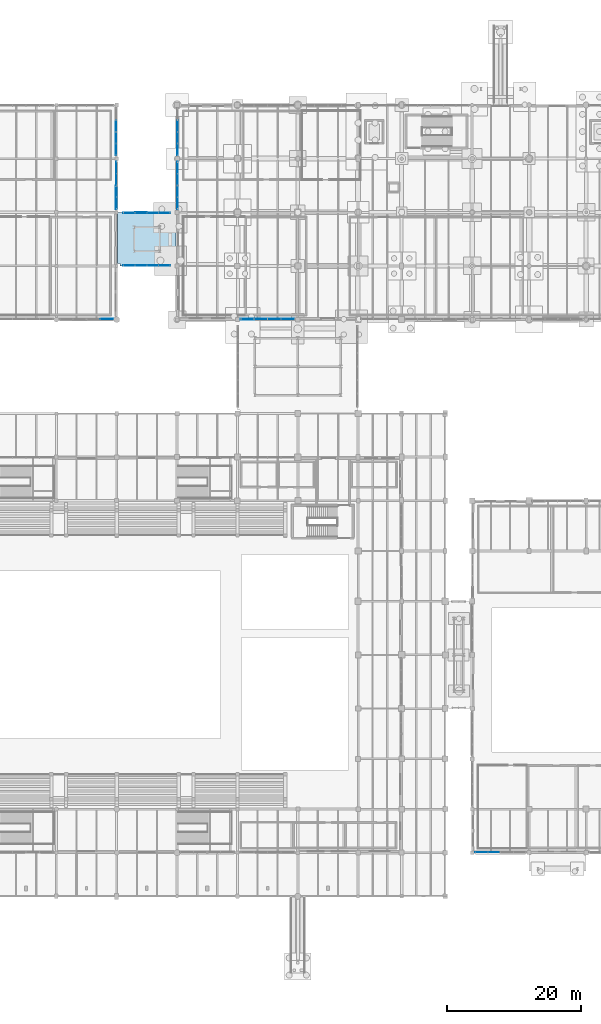
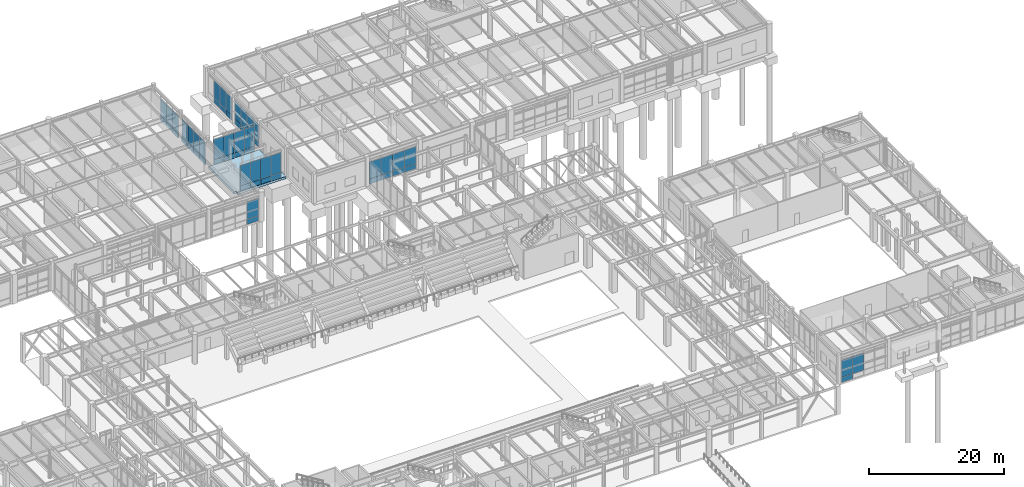
# One storey, part 157 of 203: 57 plates, 1 slab, 9 elements without a shape of their own.
"""IFC4 building model written with IfcOpenShell, lengths in metres."""

from ifc_helpers import new_model, si_unit, direction, frame, origin, origin_2d, place, context, subcontext, project, spatial, polyline, rectangle, outline, extrude, material, layer, layer_set, type_object, element, aggregate, save


model = new_model("IFC4")

# Units and contexts
model_context = context("Model", 3, precision=1e-05, world=origin(), true_north=direction((0.0, 1.0)))
body_context = subcontext(model_context, "Body", "Model", "MODEL_VIEW")
ifc_project = project(units=[si_unit("LENGTHUNIT", "METRE"), si_unit("AREAUNIT", "SQUARE_METRE"), si_unit("VOLUMEUNIT", "CUBIC_METRE"), si_unit("PLANEANGLEUNIT", "RADIAN"), si_unit("MASSUNIT", "GRAM", prefix="KILO"), si_unit("THERMODYNAMICTEMPERATUREUNIT", "KELVIN"), si_unit("POWERUNIT", "WATT")], contexts=[model_context])

# Site, building, storey
site_placement = place(None, origin())
site = spatial("IfcSite", under=ifc_project, at=site_placement, CompositionType="ELEMENT")
building_placement = place(site_placement, origin())
building = spatial("IfcBuilding", under=site, at=building_placement, Name="Tepalcoro Natatorium and Aquatics Centre", CompositionType="ELEMENT")
storey_placement = place(building_placement, origin())
storey = spatial("IfcBuildingStorey", under=building, at=storey_placement, Name="L00", CompositionType="ELEMENT", Elevation=0.0)

# Curtain wall, plate
ifc_material_1 = material(Name="Bronze-Anodised Extruded Aluminium Alloy EN AW-6063 T6", Category="aluminium")
curtain_wall_type_1 = type_object("IfcCurtainWallType", Name="CW_V2_DIVING", PredefinedType="USERDEFINED", material=ifc_material_1)
curtain_wall_1_placement = place(storey_placement, origin())
curtain_wall_1 = element("IfcCurtainWall", 1, at=curtain_wall_1_placement, inside=storey, type_object=curtain_wall_type_1, Name="V2 L00 S Unitised Curtain Wall Bay 1", ObjectType="FACETED SOLAR GLAZING", PredefinedType="USERDEFINED")
ifc_material_2 = material(Name="Solar-Control Bronze Tempered Low-E Double Glazing", Category="glass")
ifc_layer_1 = layer(ifc_material_2, 0.048095703125)
ifc_layer_set_1 = layer_set([ifc_layer_1], Name="Solar-Control Bronze Tempered Low-E Double Glazing")
plate_type_1 = type_object("IfcPlateType", Name="PL_ACOUSTIC_IGU_48", PredefinedType="CURTAIN_PANEL", material=ifc_layer_set_1)
plate_1_placement = place(storey_placement, frame((145.3076171875, 6.576171875, 0.9599609375), z_axis=(0.0, 0.0, 1.0), x_axis=(1.0, 0.0, 0.0)))
plate_1 = element("IfcPlate", 2, at=plate_1_placement, type_object=plate_type_1, Name="CW_V2_DIVING Insulated Glazing Unit", PredefinedType="CURTAIN_PANEL", context=body_context, shape_type="SweptSolid", body=[
    extrude(rectangle(XDim=1.864990234375, YDim=0.048095703125, at=origin_2d()), origin(), (0.0, 0.0, 1.0), 3.1298828125),
])

curtain_wall_type_2 = type_object("IfcCurtainWallType", Name="CW_LEAN_T2_EW", PredefinedType="USERDEFINED", material=ifc_material_1)
curtain_wall_2_placement = place(storey_placement, origin())
curtain_wall_2 = element("IfcCurtainWall", 3, at=curtain_wall_2_placement, inside=storey, type_object=curtain_wall_type_2, Name="V4 L00 E Unitised Curtain Wall Bay 3", ObjectType="FACETED SOLAR GLAZING", PredefinedType="USERDEFINED")
plate_2_placement = place(storey_placement, frame((88.9287109375, 105.1201171875, 0.9599609375), z_axis=(0.0, 0.0, 1.0), x_axis=(1.0, 0.0, 0.0)))
plate_2 = element("IfcPlate", 4, at=plate_2_placement, type_object=plate_type_1, Name="CW_LEAN_T2_EW Insulated Glazing Unit", PredefinedType="CURTAIN_PANEL", context=body_context, shape_type="SweptSolid", body=[
    extrude(rectangle(XDim=0.048095703125, YDim=1.739990234375, at=origin_2d()), origin(), (0.0, 0.0, 1.0), 3.14990234375),
])

curtain_wall_type_3 = type_object("IfcCurtainWallType", Name="CW_V1_PLINTH", PredefinedType="USERDEFINED", material=ifc_material_1)
curtain_wall_3_placement = place(storey_placement, origin())
curtain_wall_3 = element("IfcCurtainWall", 5, at=curtain_wall_3_placement, inside=storey, type_object=curtain_wall_type_3, Name="V4 L00 E Unitised Curtain Wall Bay 4", ObjectType="UNITISED STOREFRONT", PredefinedType="USERDEFINED")
plate_3_placement = place(storey_placement, frame((88.909912109375, 111.360107421875, 0.9599609375), z_axis=(0.0, 0.0, 1.0), x_axis=(1.0, 0.0, 0.0)))
plate_3 = element("IfcPlate", 6, at=plate_3_placement, type_object=plate_type_1, Name="CW_V1_PLINTH Insulated Glazing Unit", PredefinedType="CURTAIN_PANEL", context=body_context, shape_type="SweptSolid", body=[
    extrude(rectangle(XDim=0.048095703125, YDim=1.739990234375, at=origin_2d()), origin(), (0.0, 0.0, 1.0), 3.073974609375),
])

# Curtain wall, plates
curtain_wall_type_4 = type_object("IfcCurtainWallType", Name="CW_V3_FOYER", PredefinedType="USERDEFINED", material=ifc_material_1)
curtain_wall_4_placement = place(storey_placement, origin())
curtain_wall_4 = element("IfcCurtainWall", 7, at=curtain_wall_4_placement, inside=storey, type_object=curtain_wall_type_4, Name="V5 L00 S Unitised Curtain Wall Bay 2", ObjectType="UNITISED STOREFRONT", PredefinedType="USERDEFINED")
plate_4_placement = place(storey_placement, frame((108.485107421875, 86.0712890625, 0.9599609375), z_axis=(0.0, 0.0, 1.0), x_axis=(1.0, 0.0, 0.0)))
plate_4 = element("IfcPlate", 8, at=plate_4_placement, type_object=plate_type_1, Name="CW_V3_FOYER Insulated Glazing Unit", PredefinedType="CURTAIN_PANEL", context=body_context, shape_type="SweptSolid", body=[
    extrude(rectangle(XDim=1.989990234375, YDim=0.048095703125, at=origin_2d()), origin(), (0.0, 0.0, 1.0), 3.053955078125),
])
plate_5_placement = place(storey_placement, frame((114.514892578125, 86.0712890625, 0.9599609375), z_axis=(0.0, 0.0, 1.0), x_axis=(1.0, 0.0, 0.0)))
plate_5 = element("IfcPlate", 9, at=plate_5_placement, type_object=plate_type_1, Name="CW_V3_FOYER Insulated Glazing Unit", PredefinedType="CURTAIN_PANEL", context=body_context, shape_type="SweptSolid", body=[
    extrude(rectangle(XDim=1.989990234375, YDim=0.048095703125, at=origin_2d()), origin(), (0.0, 0.0, 1.0), 3.053955078125),
])

# Curtain wall, plate
curtain_wall_type_5 = type_object("IfcCurtainWallType", Name="CW_LEAN_T1_EW", PredefinedType="USERDEFINED", material=ifc_material_1)
curtain_wall_5_placement = place(storey_placement, origin())
curtain_wall_5 = element("IfcCurtainWall", 10, at=curtain_wall_5_placement, inside=storey, type_object=curtain_wall_type_5, Name="V5 L00 W Unitised Curtain Wall Bay 3", ObjectType="FACETED SOLAR GLAZING", PredefinedType="USERDEFINED")
plate_6_placement = place(storey_placement, frame((98.0712890625, 106.8798828125, 0.9599609375), z_axis=(0.0, 0.0, 1.0), x_axis=(1.0, 0.0, 0.0)))
plate_6 = element("IfcPlate", 11, at=plate_6_placement, type_object=plate_type_1, Name="CW_LEAN_T1_EW Insulated Glazing Unit", PredefinedType="CURTAIN_PANEL", context=body_context, shape_type="SweptSolid", body=[
    extrude(rectangle(XDim=0.048095703125, YDim=1.739990234375, at=origin_2d()), origin(), (0.0, 0.0, 1.0), 3.177001953125),
])

curtain_wall_type_6 = type_object("IfcCurtainWallType", Name="CW_LEAN_T2_NS", PredefinedType="USERDEFINED", material=ifc_material_1)
curtain_wall_6_placement = place(storey_placement, origin())
curtain_wall_6 = element("IfcCurtainWall", 12, at=curtain_wall_6_placement, inside=storey, type_object=curtain_wall_type_6, Name="V5 L00 W Unitised Curtain Wall Bay 4", ObjectType="FACETED SOLAR GLAZING", PredefinedType="USERDEFINED")
plate_7_placement = place(storey_placement, frame((98.076171875, 113.1201171875, 0.9599609375), z_axis=(0.0, 0.0, 1.0), x_axis=(1.0, 0.0, 0.0)))
plate_7 = element("IfcPlate", 13, at=plate_7_placement, type_object=plate_type_1, Name="CW_LEAN_T2_NS Insulated Glazing Unit", PredefinedType="CURTAIN_PANEL", context=body_context, shape_type="SweptSolid", body=[
    extrude(rectangle(XDim=0.048095703125, YDim=1.739990234375, at=origin_2d()), origin(), (0.0, 0.0, 1.0), 3.1298828125),
])

# Curtain wall, plates
curtain_wall_type_7 = type_object("IfcCurtainWallType", Name="CW_LINK_150", PredefinedType="USERDEFINED", material=ifc_material_1)
curtain_wall_7_placement = place(storey_placement, origin())
curtain_wall_7 = element("IfcCurtainWall", 14, at=curtain_wall_7_placement, inside=storey, type_object=curtain_wall_type_7, Name="North Spine Seismic Link Glazed Wall S L00", ObjectType="UNITISED STOREFRONT", PredefinedType="USERDEFINED")
plate_8_placement = place(storey_placement, frame((90.875, 94.080078125, 0.9599609375), z_axis=(0.0, 0.0, 1.0), x_axis=(1.0, 0.0, 0.0)))
plate_8 = element("IfcPlate", 15, at=plate_8_placement, type_object=plate_type_1, Name="CW_LINK_150 Insulated Glazing Unit", PredefinedType="CURTAIN_PANEL", context=body_context, shape_type="SweptSolid", body=[
    extrude(rectangle(XDim=1.72998046875, YDim=0.048095703125, at=origin_2d()), origin(), (0.0, 0.0, 1.0), 3.639892578125),
])
plate_9_placement = place(storey_placement, frame((96.125, 94.080078125, 0.9599609375), z_axis=(0.0, 0.0, 1.0), x_axis=(1.0, 0.0, 0.0)))
plate_9 = element("IfcPlate", 16, at=plate_9_placement, type_object=plate_type_1, Name="CW_LINK_150 Insulated Glazing Unit", PredefinedType="CURTAIN_PANEL", context=body_context, shape_type="SweptSolid", body=[
    extrude(rectangle(XDim=1.72998046875, YDim=0.048095703125, at=origin_2d()), origin(), (0.0, 0.0, 1.0), 3.639892578125),
])

# Curtain wall, plate
curtain_wall_8_placement = place(storey_placement, origin())
curtain_wall_8 = element("IfcCurtainWall", 17, at=curtain_wall_8_placement, inside=storey, type_object=curtain_wall_type_7, Name="North Spine Seismic Link Glazed Wall N L00", ObjectType="UNITISED STOREFRONT", PredefinedType="USERDEFINED")
plate_10_placement = place(storey_placement, frame((94.375, 101.919921875, 0.9599609375), z_axis=(0.0, 0.0, 1.0), x_axis=(1.0, 0.0, 0.0)))
plate_10 = element("IfcPlate", 18, at=plate_10_placement, type_object=plate_type_1, Name="CW_LINK_150 Insulated Glazing Unit", PredefinedType="CURTAIN_PANEL", context=body_context, shape_type="SweptSolid", body=[
    extrude(rectangle(XDim=1.72998046875, YDim=0.048095703125, at=origin_2d()), origin(), (0.0, 0.0, 1.0), 3.639892578125),
])

# Plate
ifc_layer_2 = layer(ifc_material_2, 0.028076171875)
ifc_layer_set_2 = layer_set([ifc_layer_2], Name="Solar-Control Bronze Tempered Low-E Double Glazing")
plate_type_2 = type_object("IfcPlateType", Name="PL_BRONZE_IGU_28", PredefinedType="CURTAIN_PANEL", material=ifc_layer_set_2)
plate_11_placement = place(storey_placement, frame((143.422607421875, 6.576171875, 0.9599609375), z_axis=(0.0, 0.0, 1.0), x_axis=(1.0, 0.0, 0.0)))
plate_11 = element("IfcPlate", 19, at=plate_11_placement, type_object=plate_type_2, Name="CW_V2_DIVING Insulated Glazing Unit", PredefinedType="CURTAIN_PANEL", context=body_context, shape_type="SweptSolid", body=[
    extrude(rectangle(XDim=1.864990234375, YDim=0.028076171875, at=origin_2d()), origin(), (0.0, 0.0, 1.0), 3.1298828125),
])

plate_12_placement = place(storey_placement, frame((88.9287109375, 103.360107421875, 0.9599609375), z_axis=(0.0, 0.0, 1.0), x_axis=(1.0, 0.0, 0.0)))
plate_12 = element("IfcPlate", 20, at=plate_12_placement, type_object=plate_type_2, Name="CW_LEAN_T2_EW Insulated Glazing Unit", PredefinedType="CURTAIN_PANEL", context=body_context, shape_type="SweptSolid", body=[
    extrude(rectangle(XDim=0.028076171875, YDim=1.739990234375, at=origin_2d()), origin(), (0.0, 0.0, 1.0), 3.14990234375),
])

plate_13_placement = place(storey_placement, frame((88.9287109375, 108.639892578125, 0.9599609375), z_axis=(0.0, 0.0, 1.0), x_axis=(1.0, 0.0, 0.0)))
plate_13 = element("IfcPlate", 21, at=plate_13_placement, type_object=plate_type_2, Name="CW_LEAN_T2_EW Insulated Glazing Unit", PredefinedType="CURTAIN_PANEL", context=body_context, shape_type="SweptSolid", body=[
    extrude(rectangle(XDim=0.028076171875, YDim=1.739990234375, at=origin_2d()), origin(), (0.0, 0.0, 1.0), 3.14990234375),
])

plate_14_placement = place(storey_placement, frame((88.909912109375, 114.8798828125, 0.9599609375), z_axis=(0.0, 0.0, 1.0), x_axis=(1.0, 0.0, 0.0)))
plate_14 = element("IfcPlate", 22, at=plate_14_placement, type_object=plate_type_2, Name="CW_V1_PLINTH Insulated Glazing Unit", PredefinedType="CURTAIN_PANEL", context=body_context, shape_type="SweptSolid", body=[
    extrude(rectangle(XDim=0.028076171875, YDim=1.739990234375, at=origin_2d()), origin(), (0.0, 0.0, 1.0), 3.073974609375),
])

plate_15_placement = place(storey_placement, frame((112.5048828125, 86.0712890625, 0.9599609375), z_axis=(0.0, 0.0, 1.0), x_axis=(1.0, 0.0, 0.0)))
plate_15 = element("IfcPlate", 23, at=plate_15_placement, type_object=plate_type_2, Name="CW_V3_FOYER Insulated Glazing Unit", PredefinedType="CURTAIN_PANEL", context=body_context, shape_type="SweptSolid", body=[
    extrude(rectangle(XDim=1.989990234375, YDim=0.028076171875, at=origin_2d()), origin(), (0.0, 0.0, 1.0), 3.053955078125),
])

plate_16_placement = place(storey_placement, frame((98.0712890625, 105.1201171875, 0.9599609375), z_axis=(0.0, 0.0, 1.0), x_axis=(1.0, 0.0, 0.0)))
plate_16 = element("IfcPlate", 24, at=plate_16_placement, type_object=plate_type_2, Name="CW_LEAN_T1_EW Insulated Glazing Unit", PredefinedType="CURTAIN_PANEL", context=body_context, shape_type="SweptSolid", body=[
    extrude(rectangle(XDim=0.028076171875, YDim=1.739990234375, at=origin_2d()), origin(), (0.0, 0.0, 1.0), 3.177001953125),
])

plate_17_placement = place(storey_placement, frame((98.076171875, 111.360107421875, 0.9599609375), z_axis=(0.0, 0.0, 1.0), x_axis=(1.0, 0.0, 0.0)))
plate_17 = element("IfcPlate", 25, at=plate_17_placement, type_object=plate_type_2, Name="CW_LEAN_T2_NS Insulated Glazing Unit", PredefinedType="CURTAIN_PANEL", context=body_context, shape_type="SweptSolid", body=[
    extrude(rectangle(XDim=0.028076171875, YDim=1.739990234375, at=origin_2d()), origin(), (0.0, 0.0, 1.0), 3.1298828125),
])

plate_18_placement = place(storey_placement, frame((94.375, 94.080078125, 0.9599609375), z_axis=(0.0, 0.0, 1.0), x_axis=(1.0, 0.0, 0.0)))
plate_18 = element("IfcPlate", 26, at=plate_18_placement, type_object=plate_type_2, Name="CW_LINK_150 Insulated Glazing Unit", PredefinedType="CURTAIN_PANEL", context=body_context, shape_type="SweptSolid", body=[
    extrude(rectangle(XDim=1.72998046875, YDim=0.028076171875, at=origin_2d()), origin(), (0.0, 0.0, 1.0), 3.639892578125),
])

plate_19_placement = place(storey_placement, frame((92.625, 101.919921875, 0.9599609375), z_axis=(0.0, 0.0, 1.0), x_axis=(1.0, 0.0, 0.0)))
plate_19 = element("IfcPlate", 27, at=plate_19_placement, type_object=plate_type_2, Name="CW_LINK_150 Insulated Glazing Unit", PredefinedType="CURTAIN_PANEL", context=body_context, shape_type="SweptSolid", body=[
    extrude(rectangle(XDim=1.72998046875, YDim=0.028076171875, at=origin_2d()), origin(), (0.0, 0.0, 1.0), 3.639892578125),
])

ifc_material_3 = material(Name="Jalisco Cantera Rosa Volcanic Tuff Ashlar Masonry", Category="masonry")
ifc_layer_3 = layer(ifc_material_3, 0.090087890625)
ifc_layer_set_3 = layer_set([ifc_layer_3], Name="Jalisco Cantera Rosa Volcanic Tuff Ashlar Masonry")
plate_type_3 = type_object("IfcPlateType", Name="PL_CANTERA_90", PredefinedType="SHEET", material=ifc_layer_set_3)
plate_20_placement = place(storey_placement, frame((88.9287109375, 103.360107421875, 0.044921875), z_axis=(0.0, 0.0, 1.0), x_axis=(1.0, 0.0, 0.0)))
plate_20 = element("IfcPlate", 28, at=plate_20_placement, type_object=plate_type_3, Name="CW_LEAN_T2_EW Spandrel & Screen Panel", PredefinedType="SHEET", context=body_context, shape_type="SweptSolid", body=[
    extrude(rectangle(XDim=0.090087890625, YDim=1.739990234375, at=origin_2d()), origin(), (0.0, 0.0, 1.0), 0.909912109375),
])

plate_21_placement = place(storey_placement, frame((92.625, 94.080078125, 0.044921875), z_axis=(0.0, 0.0, 1.0), x_axis=(1.0, 0.0, 0.0)))
plate_21 = element("IfcPlate", 29, at=plate_21_placement, type_object=plate_type_3, Name="CW_LINK_150 Spandrel & Screen Panel", PredefinedType="SHEET", context=body_context, shape_type="SweptSolid", body=[
    extrude(rectangle(XDim=1.72998046875, YDim=0.090087890625, at=origin_2d()), origin(), (0.0, 0.0, 1.0), 0.909912109375),
])

plate_22_placement = place(storey_placement, frame((90.875, 101.919921875, 0.044921875), z_axis=(0.0, 0.0, 1.0), x_axis=(1.0, 0.0, 0.0)))
plate_22 = element("IfcPlate", 30, at=plate_22_placement, type_object=plate_type_3, Name="CW_LINK_150 Spandrel & Screen Panel", PredefinedType="SHEET", context=body_context, shape_type="SweptSolid", body=[
    extrude(rectangle(XDim=1.72998046875, YDim=0.090087890625, at=origin_2d()), origin(), (0.0, 0.0, 1.0), 0.909912109375),
])

# Curtain wall, plate
curtain_wall_9_placement = place(storey_placement, origin())
curtain_wall_9 = element("IfcCurtainWall", 31, at=curtain_wall_9_placement, inside=storey, type_object=curtain_wall_type_2, Name="V4 L00 S Unitised Curtain Wall Bay 9", ObjectType="FACETED SOLAR GLAZING", PredefinedType="USERDEFINED")
ifc_material_4 = material(Name="Clear Tempered Low-E Safety Glazing", Category="glass")
ifc_layer_4 = layer(ifc_material_4, 0.011962890625)
ifc_layer_set_4 = layer_set([ifc_layer_4], Name="Clear Tempered Low-E Safety Glazing")
plate_type_4 = type_object("IfcPlateType", Name="PL_GLASS_12", PredefinedType="CURTAIN_PANEL", material=ifc_layer_set_4)
plate_23_placement = place(storey_placement, frame((87.514892578125, 86.0712890625, 0.9599609375), z_axis=(0.0, 0.0, 1.0), x_axis=(1.0, 0.0, 0.0)))
plate_23 = element("IfcPlate", 32, at=plate_23_placement, type_object=plate_type_4, Name="CW_LEAN_T2_EW Insulated Glazing Unit", PredefinedType="CURTAIN_PANEL", context=body_context, shape_type="SweptSolid", body=[
    extrude(rectangle(XDim=1.989990234375, YDim=0.011962890625, at=origin_2d()), origin(), (0.0, 0.0, 1.0), 3.14990234375),
])

# Plate
plate_24_placement = place(storey_placement, frame((88.9287109375, 106.8798828125, 0.9599609375), z_axis=(0.0, 0.0, 1.0), x_axis=(1.0, 0.0, 0.0)))
plate_24 = element("IfcPlate", 33, at=plate_24_placement, type_object=plate_type_4, Name="CW_LEAN_T2_EW Insulated Glazing Unit", PredefinedType="CURTAIN_PANEL", context=body_context, shape_type="SweptSolid", body=[
    extrude(rectangle(XDim=0.011962890625, YDim=1.739990234375, at=origin_2d()), origin(), (0.0, 0.0, 1.0), 3.14990234375),
])

plate_25_placement = place(storey_placement, frame((88.909912109375, 113.1201171875, 0.9599609375), z_axis=(0.0, 0.0, 1.0), x_axis=(1.0, 0.0, 0.0)))
plate_25 = element("IfcPlate", 34, at=plate_25_placement, type_object=plate_type_4, Name="CW_V1_PLINTH Insulated Glazing Unit", PredefinedType="CURTAIN_PANEL", context=body_context, shape_type="SweptSolid", body=[
    extrude(rectangle(XDim=0.011962890625, YDim=1.739990234375, at=origin_2d()), origin(), (0.0, 0.0, 1.0), 3.073974609375),
])

plate_26_placement = place(storey_placement, frame((110.4951171875, 86.0712890625, 0.9599609375), z_axis=(0.0, 0.0, 1.0), x_axis=(1.0, 0.0, 0.0)))
plate_26 = element("IfcPlate", 35, at=plate_26_placement, type_object=plate_type_4, Name="CW_V3_FOYER Insulated Glazing Unit", PredefinedType="CURTAIN_PANEL", context=body_context, shape_type="SweptSolid", body=[
    extrude(rectangle(XDim=1.989990234375, YDim=0.011962890625, at=origin_2d()), origin(), (0.0, 0.0, 1.0), 3.053955078125),
])

plate_27_placement = place(storey_placement, frame((98.0712890625, 103.360107421875, 0.9599609375), z_axis=(0.0, 0.0, 1.0), x_axis=(1.0, 0.0, 0.0)))
plate_27 = element("IfcPlate", 36, at=plate_27_placement, type_object=plate_type_4, Name="CW_LEAN_T1_EW Insulated Glazing Unit", PredefinedType="CURTAIN_PANEL", context=body_context, shape_type="SweptSolid", body=[
    extrude(rectangle(XDim=0.011962890625, YDim=1.739990234375, at=origin_2d()), origin(), (0.0, 0.0, 1.0), 3.177001953125),
])

plate_28_placement = place(storey_placement, frame((98.0712890625, 108.639892578125, 0.9599609375), z_axis=(0.0, 0.0, 1.0), x_axis=(1.0, 0.0, 0.0)))
plate_28 = element("IfcPlate", 37, at=plate_28_placement, type_object=plate_type_4, Name="CW_LEAN_T1_EW Insulated Glazing Unit", PredefinedType="CURTAIN_PANEL", context=body_context, shape_type="SweptSolid", body=[
    extrude(rectangle(XDim=0.011962890625, YDim=1.739990234375, at=origin_2d()), origin(), (0.0, 0.0, 1.0), 3.177001953125),
])

plate_29_placement = place(storey_placement, frame((98.076171875, 114.8798828125, 0.9599609375), z_axis=(0.0, 0.0, 1.0), x_axis=(1.0, 0.0, 0.0)))
plate_29 = element("IfcPlate", 38, at=plate_29_placement, type_object=plate_type_4, Name="CW_LEAN_T2_NS Insulated Glazing Unit", PredefinedType="CURTAIN_PANEL", context=body_context, shape_type="SweptSolid", body=[
    extrude(rectangle(XDim=0.011962890625, YDim=1.739990234375, at=origin_2d()), origin(), (0.0, 0.0, 1.0), 3.1298828125),
])

plate_30_placement = place(storey_placement, frame((92.625, 94.080078125, 0.9599609375), z_axis=(0.0, 0.0, 1.0), x_axis=(1.0, 0.0, 0.0)))
plate_30 = element("IfcPlate", 39, at=plate_30_placement, type_object=plate_type_4, Name="CW_LINK_150 Insulated Glazing Unit", PredefinedType="CURTAIN_PANEL", context=body_context, shape_type="SweptSolid", body=[
    extrude(rectangle(XDim=1.72998046875, YDim=0.011962890625, at=origin_2d()), origin(), (0.0, 0.0, 1.0), 3.639892578125),
])

plate_31_placement = place(storey_placement, frame((90.875, 101.919921875, 0.9599609375), z_axis=(0.0, 0.0, 1.0), x_axis=(1.0, 0.0, 0.0)))
plate_31 = element("IfcPlate", 40, at=plate_31_placement, type_object=plate_type_4, Name="CW_LINK_150 Insulated Glazing Unit", PredefinedType="CURTAIN_PANEL", context=body_context, shape_type="SweptSolid", body=[
    extrude(rectangle(XDim=1.72998046875, YDim=0.011962890625, at=origin_2d()), origin(), (0.0, 0.0, 1.0), 3.639892578125),
])

plate_32_placement = place(storey_placement, frame((96.125, 101.919921875, 0.9599609375), z_axis=(0.0, 0.0, 1.0), x_axis=(1.0, 0.0, 0.0)))
plate_32 = element("IfcPlate", 41, at=plate_32_placement, type_object=plate_type_4, Name="CW_LINK_150 Insulated Glazing Unit", PredefinedType="CURTAIN_PANEL", context=body_context, shape_type="SweptSolid", body=[
    extrude(rectangle(XDim=1.72998046875, YDim=0.011962890625, at=origin_2d()), origin(), (0.0, 0.0, 1.0), 3.639892578125),
])

ifc_material_5 = material(Name="Volcanic Recinto Basalt Ashlar Masonry", Category="masonry")
ifc_layer_5 = layer(ifc_material_5, 0.110107421875)
ifc_layer_set_5 = layer_set([ifc_layer_5], Name="Volcanic Recinto Basalt Ashlar Masonry")
plate_type_5 = type_object("IfcPlateType", Name="PL_RECINTO_110", PredefinedType="SHEET", material=ifc_layer_set_5)
plate_33_placement = place(storey_placement, frame((88.9287109375, 105.1201171875, 0.044921875), z_axis=(0.0, 0.0, 1.0), x_axis=(1.0, 0.0, 0.0)))
plate_33 = element("IfcPlate", 42, at=plate_33_placement, type_object=plate_type_5, Name="CW_LEAN_T2_EW Spandrel & Screen Panel", PredefinedType="SHEET", context=body_context, shape_type="SweptSolid", body=[
    extrude(rectangle(XDim=0.110107421875, YDim=1.739990234375, at=origin_2d()), origin(), (0.0, 0.0, 1.0), 0.909912109375),
])

plate_34_placement = place(storey_placement, frame((88.909912109375, 111.360107421875, 0.044921875), z_axis=(0.0, 0.0, 1.0), x_axis=(1.0, 0.0, 0.0)))
plate_34 = element("IfcPlate", 43, at=plate_34_placement, type_object=plate_type_5, Name="CW_V1_PLINTH Spandrel & Screen Panel", PredefinedType="SHEET", context=body_context, shape_type="SweptSolid", body=[
    extrude(rectangle(XDim=0.110107421875, YDim=1.739990234375, at=origin_2d()), origin(), (0.0, 0.0, 1.0), 0.909912109375),
])

plate_35_placement = place(storey_placement, frame((108.485107421875, 86.0712890625, 0.044921875), z_axis=(0.0, 0.0, 1.0), x_axis=(1.0, 0.0, 0.0)))
plate_35 = element("IfcPlate", 44, at=plate_35_placement, type_object=plate_type_5, Name="CW_V3_FOYER Spandrel & Screen Panel", PredefinedType="SHEET", context=body_context, shape_type="SweptSolid", body=[
    extrude(rectangle(XDim=1.989990234375, YDim=0.110107421875, at=origin_2d()), origin(), (0.0, 0.0, 1.0), 0.909912109375),
])

plate_36_placement = place(storey_placement, frame((98.0712890625, 103.360107421875, 0.044921875), z_axis=(0.0, 0.0, 1.0), x_axis=(1.0, 0.0, 0.0)))
plate_36 = element("IfcPlate", 45, at=plate_36_placement, type_object=plate_type_5, Name="CW_LEAN_T1_EW Spandrel & Screen Panel", PredefinedType="SHEET", context=body_context, shape_type="SweptSolid", body=[
    extrude(rectangle(XDim=0.110107421875, YDim=1.739990234375, at=origin_2d()), origin(), (0.0, 0.0, 1.0), 0.909912109375),
])

plate_37_placement = place(storey_placement, frame((94.375, 94.080078125, 0.044921875), z_axis=(0.0, 0.0, 1.0), x_axis=(1.0, 0.0, 0.0)))
plate_37 = element("IfcPlate", 46, at=plate_37_placement, type_object=plate_type_5, Name="CW_LINK_150 Spandrel & Screen Panel", PredefinedType="SHEET", context=body_context, shape_type="SweptSolid", body=[
    extrude(rectangle(XDim=1.72998046875, YDim=0.110107421875, at=origin_2d()), origin(), (0.0, 0.0, 1.0), 0.909912109375),
])

plate_38_placement = place(storey_placement, frame((92.625, 101.919921875, 0.044921875), z_axis=(0.0, 0.0, 1.0), x_axis=(1.0, 0.0, 0.0)))
plate_38 = element("IfcPlate", 47, at=plate_38_placement, type_object=plate_type_5, Name="CW_LINK_150 Spandrel & Screen Panel", PredefinedType="SHEET", context=body_context, shape_type="SweptSolid", body=[
    extrude(rectangle(XDim=1.72998046875, YDim=0.110107421875, at=origin_2d()), origin(), (0.0, 0.0, 1.0), 0.909912109375),
])

ifc_layer_6 = layer(ifc_material_1, 0.050048828125)
ifc_layer_set_6 = layer_set([ifc_layer_6], Name="Bronze-Anodised Extruded Aluminium Alloy EN AW-6063 T6")
plate_type_6 = type_object("IfcPlateType", Name="PL_SCREEN_50", PredefinedType="SHEET", material=ifc_layer_set_6)
plate_39_placement = place(storey_placement, frame((143.422607421875, 6.576171875, 0.044921875), z_axis=(0.0, 0.0, 1.0), x_axis=(1.0, 0.0, 0.0)))
plate_39 = element("IfcPlate", 48, at=plate_39_placement, type_object=plate_type_6, Name="CW_V2_DIVING Spandrel & Screen Panel", PredefinedType="SHEET", context=body_context, shape_type="SweptSolid", body=[
    extrude(rectangle(XDim=1.864990234375, YDim=0.050048828125, at=origin_2d()), origin(), (0.0, 0.0, 1.0), 0.909912109375),
])

aggregate(curtain_wall_1, [plate_11, plate_39, plate_1])

plate_40_placement = place(storey_placement, frame((87.514892578125, 86.0712890625, 0.044921875), z_axis=(0.0, 0.0, 1.0), x_axis=(1.0, 0.0, 0.0)))
plate_40 = element("IfcPlate", 49, at=plate_40_placement, type_object=plate_type_6, Name="CW_LEAN_T2_EW Spandrel & Screen Panel", PredefinedType="SHEET", context=body_context, shape_type="SweptSolid", body=[
    extrude(rectangle(XDim=1.989990234375, YDim=0.050048828125, at=origin_2d()), origin(), (0.0, 0.0, 1.0), 0.909912109375),
])

aggregate(curtain_wall_9, [plate_23, plate_40])

plate_41_placement = place(storey_placement, frame((88.9287109375, 108.639892578125, 0.044921875), z_axis=(0.0, 0.0, 1.0), x_axis=(1.0, 0.0, 0.0)))
plate_41 = element("IfcPlate", 50, at=plate_41_placement, type_object=plate_type_6, Name="CW_LEAN_T2_EW Spandrel & Screen Panel", PredefinedType="SHEET", context=body_context, shape_type="SweptSolid", body=[
    extrude(rectangle(XDim=0.050048828125, YDim=1.739990234375, at=origin_2d()), origin(), (0.0, 0.0, 1.0), 0.909912109375),
])

plate_42_placement = place(storey_placement, frame((88.909912109375, 114.8798828125, 0.044921875), z_axis=(0.0, 0.0, 1.0), x_axis=(1.0, 0.0, 0.0)))
plate_42 = element("IfcPlate", 51, at=plate_42_placement, type_object=plate_type_6, Name="CW_V1_PLINTH Spandrel & Screen Panel", PredefinedType="SHEET", context=body_context, shape_type="SweptSolid", body=[
    extrude(rectangle(XDim=0.050048828125, YDim=1.739990234375, at=origin_2d()), origin(), (0.0, 0.0, 1.0), 0.909912109375),
])

plate_43_placement = place(storey_placement, frame((112.5048828125, 86.0712890625, 0.044921875), z_axis=(0.0, 0.0, 1.0), x_axis=(1.0, 0.0, 0.0)))
plate_43 = element("IfcPlate", 52, at=plate_43_placement, type_object=plate_type_6, Name="CW_V3_FOYER Spandrel & Screen Panel", PredefinedType="SHEET", context=body_context, shape_type="SweptSolid", body=[
    extrude(rectangle(XDim=1.989990234375, YDim=0.050048828125, at=origin_2d()), origin(), (0.0, 0.0, 1.0), 0.909912109375),
])

plate_44_placement = place(storey_placement, frame((98.0712890625, 106.8798828125, 0.044921875), z_axis=(0.0, 0.0, 1.0), x_axis=(1.0, 0.0, 0.0)))
plate_44 = element("IfcPlate", 53, at=plate_44_placement, type_object=plate_type_6, Name="CW_LEAN_T1_EW Spandrel & Screen Panel", PredefinedType="SHEET", context=body_context, shape_type="SweptSolid", body=[
    extrude(rectangle(XDim=0.050048828125, YDim=1.739990234375, at=origin_2d()), origin(), (0.0, 0.0, 1.0), 0.909912109375),
])

plate_45_placement = place(storey_placement, frame((98.076171875, 113.1201171875, 0.044921875), z_axis=(0.0, 0.0, 1.0), x_axis=(1.0, 0.0, 0.0)))
plate_45 = element("IfcPlate", 54, at=plate_45_placement, type_object=plate_type_6, Name="CW_LEAN_T2_NS Spandrel & Screen Panel", PredefinedType="SHEET", context=body_context, shape_type="SweptSolid", body=[
    extrude(rectangle(XDim=0.050048828125, YDim=1.739990234375, at=origin_2d()), origin(), (0.0, 0.0, 1.0), 0.909912109375),
])

plate_46_placement = place(storey_placement, frame((96.125, 101.919921875, 0.044921875), z_axis=(0.0, 0.0, 1.0), x_axis=(1.0, 0.0, 0.0)))
plate_46 = element("IfcPlate", 55, at=plate_46_placement, type_object=plate_type_6, Name="CW_LINK_150 Spandrel & Screen Panel", PredefinedType="SHEET", context=body_context, shape_type="SweptSolid", body=[
    extrude(rectangle(XDim=1.72998046875, YDim=0.050048828125, at=origin_2d()), origin(), (0.0, 0.0, 1.0), 0.909912109375),
])

ifc_layer_7 = layer(ifc_material_1, 0.06005859375)
ifc_layer_set_7 = layer_set([ifc_layer_7], Name="Bronze-Anodised Extruded Aluminium Alloy EN AW-6063 T6")
plate_type_7 = type_object("IfcPlateType", Name="PL_SCREEN_60", PredefinedType="SHEET", material=ifc_layer_set_7)
plate_47_placement = place(storey_placement, frame((114.514892578125, 86.0712890625, 0.044921875), z_axis=(0.0, 0.0, 1.0), x_axis=(1.0, 0.0, 0.0)))
plate_47 = element("IfcPlate", 56, at=plate_47_placement, type_object=plate_type_7, Name="CW_V3_FOYER Spandrel & Screen Panel", PredefinedType="SHEET", context=body_context, shape_type="SweptSolid", body=[
    extrude(rectangle(XDim=1.989990234375, YDim=0.06005859375, at=origin_2d()), origin(), (0.0, 0.0, 1.0), 0.909912109375),
])

plate_48_placement = place(storey_placement, frame((98.0712890625, 108.639892578125, 0.044921875), z_axis=(0.0, 0.0, 1.0), x_axis=(1.0, 0.0, 0.0)))
plate_48 = element("IfcPlate", 57, at=plate_48_placement, type_object=plate_type_7, Name="CW_LEAN_T1_EW Spandrel & Screen Panel", PredefinedType="SHEET", context=body_context, shape_type="SweptSolid", body=[
    extrude(rectangle(XDim=0.06005859375, YDim=1.739990234375, at=origin_2d()), origin(), (0.0, 0.0, 1.0), 0.909912109375),
])

plate_49_placement = place(storey_placement, frame((98.076171875, 114.8798828125, 0.044921875), z_axis=(0.0, 0.0, 1.0), x_axis=(1.0, 0.0, 0.0)))
plate_49 = element("IfcPlate", 58, at=plate_49_placement, type_object=plate_type_7, Name="CW_LEAN_T2_NS Spandrel & Screen Panel", PredefinedType="SHEET", context=body_context, shape_type="SweptSolid", body=[
    extrude(rectangle(XDim=0.06005859375, YDim=1.739990234375, at=origin_2d()), origin(), (0.0, 0.0, 1.0), 0.909912109375),
])

plate_50_placement = place(storey_placement, frame((90.875, 94.080078125, 0.044921875), z_axis=(0.0, 0.0, 1.0), x_axis=(1.0, 0.0, 0.0)))
plate_50 = element("IfcPlate", 59, at=plate_50_placement, type_object=plate_type_7, Name="CW_LINK_150 Spandrel & Screen Panel", PredefinedType="SHEET", context=body_context, shape_type="SweptSolid", body=[
    extrude(rectangle(XDim=1.72998046875, YDim=0.06005859375, at=origin_2d()), origin(), (0.0, 0.0, 1.0), 0.909912109375),
])

ifc_material_6 = material(Name="Insulated Bronze Anodised Aluminium Spandrel Panel", Category="aluminium")
ifc_layer_8 = layer(ifc_material_6, 0.070068359375)
ifc_layer_set_8 = layer_set([ifc_layer_8], Name="Insulated Bronze Anodised Aluminium Spandrel Panel")
plate_type_8 = type_object("IfcPlateType", Name="PL_SPANDREL_70", PredefinedType="CURTAIN_PANEL", material=ifc_layer_set_8)
plate_51_placement = place(storey_placement, frame((88.9287109375, 106.8798828125, 0.044921875), z_axis=(0.0, 0.0, 1.0), x_axis=(1.0, 0.0, 0.0)))
plate_51 = element("IfcPlate", 60, at=plate_51_placement, type_object=plate_type_8, Name="CW_LEAN_T2_EW Spandrel & Screen Panel", PredefinedType="CURTAIN_PANEL", context=body_context, shape_type="SweptSolid", body=[
    extrude(rectangle(XDim=0.070068359375, YDim=1.739990234375, at=origin_2d()), origin(), (0.0, 0.0, 1.0), 0.909912109375),
])

aggregate(curtain_wall_2, [plate_12, plate_20, plate_2, plate_33, plate_24, plate_51, plate_13, plate_41])

plate_52_placement = place(storey_placement, frame((88.909912109375, 113.1201171875, 0.044921875), z_axis=(0.0, 0.0, 1.0), x_axis=(1.0, 0.0, 0.0)))
plate_52 = element("IfcPlate", 61, at=plate_52_placement, type_object=plate_type_8, Name="CW_V1_PLINTH Spandrel & Screen Panel", PredefinedType="CURTAIN_PANEL", context=body_context, shape_type="SweptSolid", body=[
    extrude(rectangle(XDim=0.070068359375, YDim=1.739990234375, at=origin_2d()), origin(), (0.0, 0.0, 1.0), 0.909912109375),
])

aggregate(curtain_wall_3, [plate_3, plate_34, plate_25, plate_52, plate_14, plate_42])

plate_53_placement = place(storey_placement, frame((110.4951171875, 86.0712890625, 0.044921875), z_axis=(0.0, 0.0, 1.0), x_axis=(1.0, 0.0, 0.0)))
plate_53 = element("IfcPlate", 62, at=plate_53_placement, type_object=plate_type_8, Name="CW_V3_FOYER Spandrel & Screen Panel", PredefinedType="CURTAIN_PANEL", context=body_context, shape_type="SweptSolid", body=[
    extrude(rectangle(XDim=1.989990234375, YDim=0.070068359375, at=origin_2d()), origin(), (0.0, 0.0, 1.0), 0.909912109375),
])

aggregate(curtain_wall_4, [plate_4, plate_35, plate_26, plate_53, plate_15, plate_43, plate_5, plate_47])

plate_54_placement = place(storey_placement, frame((98.0712890625, 105.1201171875, 0.044921875), z_axis=(0.0, 0.0, 1.0), x_axis=(1.0, 0.0, 0.0)))
plate_54 = element("IfcPlate", 63, at=plate_54_placement, type_object=plate_type_8, Name="CW_LEAN_T1_EW Spandrel & Screen Panel", PredefinedType="CURTAIN_PANEL", context=body_context, shape_type="SweptSolid", body=[
    extrude(rectangle(XDim=0.070068359375, YDim=1.739990234375, at=origin_2d()), origin(), (0.0, 0.0, 1.0), 0.909912109375),
])

aggregate(curtain_wall_5, [plate_27, plate_36, plate_16, plate_54, plate_6, plate_44, plate_28, plate_48])

plate_55_placement = place(storey_placement, frame((98.076171875, 111.360107421875, 0.044921875), z_axis=(0.0, 0.0, 1.0), x_axis=(1.0, 0.0, 0.0)))
plate_55 = element("IfcPlate", 64, at=plate_55_placement, type_object=plate_type_8, Name="CW_LEAN_T2_NS Spandrel & Screen Panel", PredefinedType="CURTAIN_PANEL", context=body_context, shape_type="SweptSolid", body=[
    extrude(rectangle(XDim=0.070068359375, YDim=1.739990234375, at=origin_2d()), origin(), (0.0, 0.0, 1.0), 0.909912109375),
])

aggregate(curtain_wall_6, [plate_17, plate_55, plate_7, plate_45, plate_29, plate_49])

plate_56_placement = place(storey_placement, frame((96.125, 94.080078125, 0.044921875), z_axis=(0.0, 0.0, 1.0), x_axis=(1.0, 0.0, 0.0)))
plate_56 = element("IfcPlate", 65, at=plate_56_placement, type_object=plate_type_8, Name="CW_LINK_150 Spandrel & Screen Panel", PredefinedType="CURTAIN_PANEL", context=body_context, shape_type="SweptSolid", body=[
    extrude(rectangle(XDim=1.72998046875, YDim=0.070068359375, at=origin_2d()), origin(), (0.0, 0.0, 1.0), 0.909912109375),
])

aggregate(curtain_wall_7, [plate_8, plate_50, plate_30, plate_21, plate_18, plate_37, plate_9, plate_56])

plate_57_placement = place(storey_placement, frame((94.375, 101.919921875, 0.044921875), z_axis=(0.0, 0.0, 1.0), x_axis=(1.0, 0.0, 0.0)))
plate_57 = element("IfcPlate", 66, at=plate_57_placement, type_object=plate_type_8, Name="CW_LINK_150 Spandrel & Screen Panel", PredefinedType="CURTAIN_PANEL", context=body_context, shape_type="SweptSolid", body=[
    extrude(rectangle(XDim=1.72998046875, YDim=0.070068359375, at=origin_2d()), origin(), (0.0, 0.0, 1.0), 0.909912109375),
])

aggregate(curtain_wall_8, [plate_31, plate_22, plate_19, plate_38, plate_10, plate_57, plate_32, plate_46])

# Slab
ifc_material_7 = material(Name="Concrete C40/50 (fc 40 MPa)", Category="concrete")
ifc_layer_9 = layer(ifc_material_7, 0.419921875)
ifc_layer_set_9 = layer_set([ifc_layer_9], Name="Concrete C40/50 (fc 40 MPa)")
slab_type = type_object("IfcSlabType", Name="SL_BASE_420", PredefinedType="BASESLAB", material=ifc_layer_set_9)
slab_placement = place(storey_placement, frame((0.0, 0.0, -0.419921875)))
element("IfcSlab", 67, at=slab_placement, inside=storey, type_object=slab_type, Name="North Spine Seismic Link L00 Slab", PredefinedType="BASESLAB", context=body_context, shape_type="SweptSolid", body=[
    extrude(outline(polyline([(89.14990234375, 102.0), (97.85009765625, 102.0), (97.85009765625, 94.0), (89.5, 94.0), (89.5, 94.35009765625), (89.14990234375, 94.35009765625), (89.14990234375, 102.0)])), origin(), (0.0, 0.0, 1.0), 0.419921875),
])

save(model, "model.ifc")
